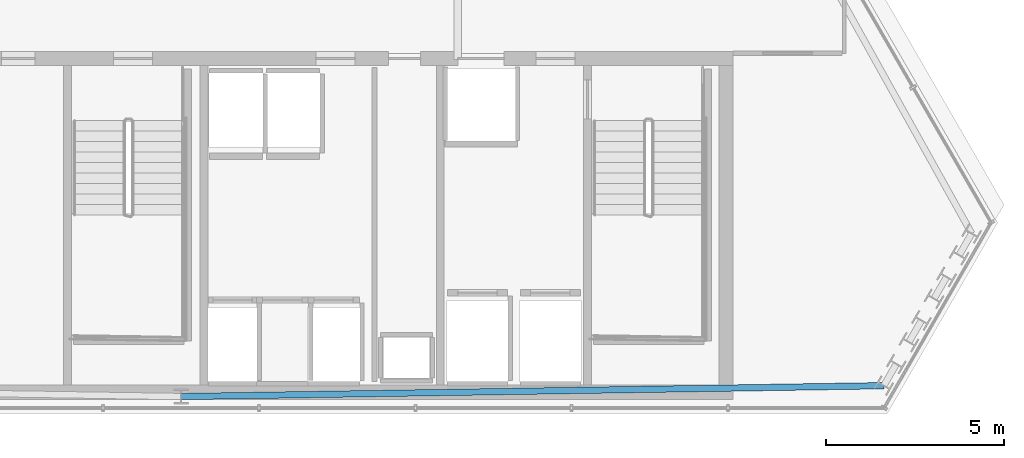
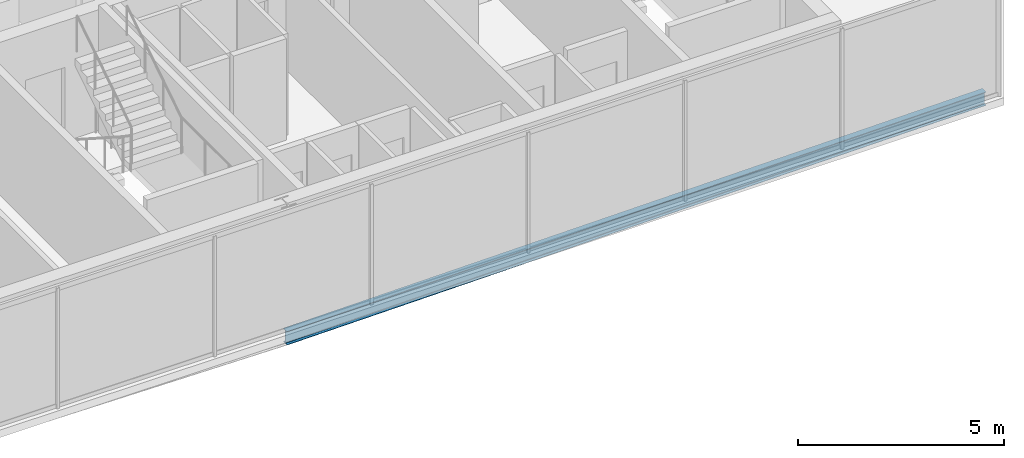
# One storey, part 18 of 32: 1 beam.
"""IFC4 building model written with IfcOpenShell, lengths in metres."""

from ifc_helpers import new_model, si_unit, direction, frame, origin, origin_2d, place, context, subcontext, project, spatial, i_section, extrude, material, material_profile, profile_set, type_object, element, save


model = new_model("IFC4")

# Units and contexts
model_context = context("Model", 3, precision=1e-05, world=origin(), true_north=direction((0.0, 1.0)))
body_context = subcontext(model_context, "Body", "Model", "MODEL_VIEW")
ifc_project = project(units=[si_unit("LENGTHUNIT", "METRE"), si_unit("AREAUNIT", "SQUARE_METRE"), si_unit("VOLUMEUNIT", "CUBIC_METRE"), si_unit("PLANEANGLEUNIT", "RADIAN"), si_unit("MASSUNIT", "GRAM", prefix="KILO")], contexts=[model_context])

# Site, building, storey
site_placement = place(None, origin())
site = spatial("IfcSite", under=ifc_project, at=site_placement, CompositionType="ELEMENT")
building_placement = place(site_placement, origin())
building = spatial("IfcBuilding", under=site, at=building_placement, Name="Ndaravel Arena Tower", CompositionType="ELEMENT")
storey_placement = place(building_placement, frame((0.0, 0.0, 252.199951171875)))
storey = spatial("IfcBuildingStorey", under=building, at=storey_placement, Name="L61", CompositionType="ELEMENT", Elevation=252.199951171875)

# Beam
ifc_material = material(Name="Steel S355", Category="steel")
ifc_material_profile = material_profile(ifc_material, i_section(OverallWidth=0.179931640625, OverallDepth=0.39990234375, WebThickness=0.008544921875, FlangeThickness=0.013427734375, FilletRadius=0.02099609375, at=origin_2d()), Name="IPE 400")
ifc_profile_set = profile_set([ifc_material_profile], Name="Steel S355")
beam_type = type_object("IfcBeamType", Name="BM-SPAN-IPE400", PredefinedType="SPANDREL", material=ifc_profile_set)
beam_placement = place(storey_placement, frame((42.0, 5.47998046875, -0.419921875), z_axis=(0.999880419685, 0.015464356762, 0.0), x_axis=(-0.015464356762, 0.999880419685, 0.0)))
element("IfcBeam", 1, at=beam_placement, inside=storey, type_object=beam_type, Name="L61 Perimeter Spandrel Beam SP-01", PredefinedType="SPANDREL", context=body_context, shape_type="SweptSolid", body=[
    extrude(i_section(OverallWidth=0.179931640625, OverallDepth=0.39990234375, WebThickness=0.008544921875, FlangeThickness=0.013427734375, FilletRadius=0.02099609375, at=origin_2d()), origin(), (0.0, 0.0, 1.0), 19.79736328125),
])

save(model, "model.ifc")
